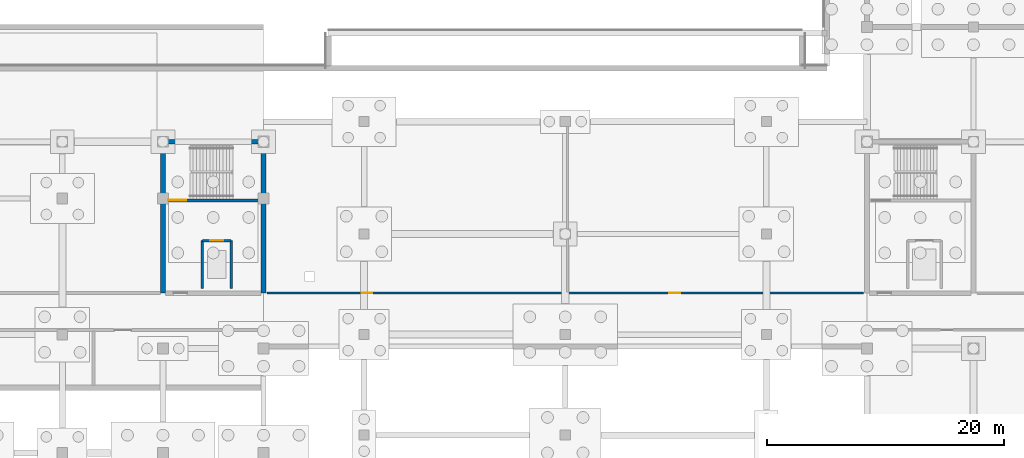
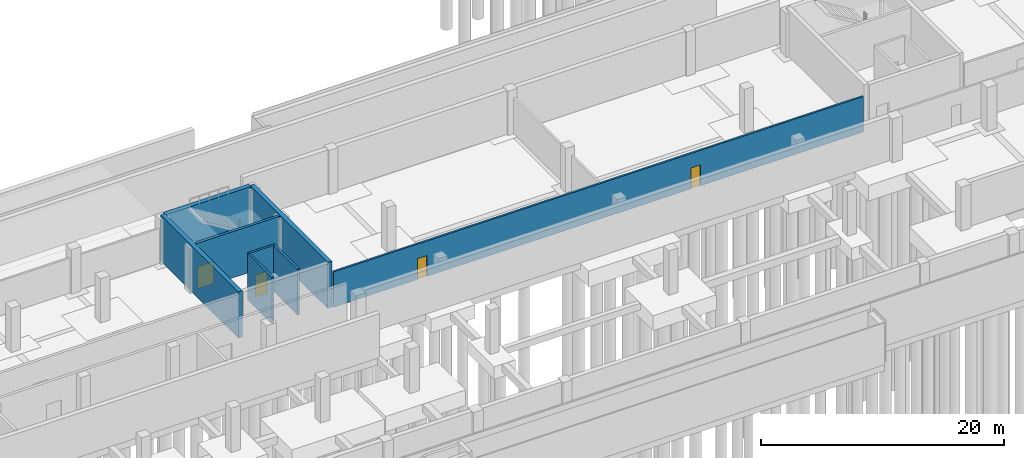
# One storey, part 13 of 25: 8 walls, 4 doors, 4 openings.
"""IFC4 building model written with IfcOpenShell, lengths in metres."""

from ifc_helpers import new_model, si_unit, direction, frame, frame_2d, origin, place, context, subcontext, project, spatial, rectangle, extrude, material, layer, layer_set, type_object, element, fill, save


model = new_model("IFC4")

# Units and contexts
model_context = context("Model", 3, precision=1e-05, world=origin(), true_north=direction((0.0, 1.0)))
body_context = subcontext(model_context, "Body", "Model", "MODEL_VIEW")
ifc_project = project(units=[si_unit("LENGTHUNIT", "METRE"), si_unit("AREAUNIT", "SQUARE_METRE"), si_unit("VOLUMEUNIT", "CUBIC_METRE"), si_unit("PLANEANGLEUNIT", "RADIAN"), si_unit("MASSUNIT", "GRAM", prefix="KILO")], contexts=[model_context])

# Site, building, storey
site_placement = place(None, origin())
site = spatial("IfcSite", under=ifc_project, at=site_placement, CompositionType="ELEMENT")
building_placement = place(site_placement, origin())
building = spatial("IfcBuilding", under=site, at=building_placement, Name="Solvikara Media Centre", CompositionType="ELEMENT")
storey_placement = place(building_placement, frame((0.0, 0.0, -4.800048828125)))
storey = spatial("IfcBuildingStorey", under=building, at=storey_placement, Name="B01", CompositionType="ELEMENT", Elevation=-4.800048828125)

# Walls
ifc_material_1 = material(Name="Concrete fc' 45 MPa (C45/55)", Category="concrete")
ifc_layer_1 = layer(ifc_material_1, 0.39990234375)
ifc_layer_set_1 = layer_set([ifc_layer_1], Name="Concrete fc' 45 MPa (C45/55)")
wall_type_1 = type_object("IfcWallType", Name="WT-02", PredefinedType="SHEAR", material=ifc_layer_set_1)
for number, where, z_axis, x_axis, name in (
    (1, (68.0, 24.0, 0.0), (0.0, 0.0, 1.0), (0.0, 1.0, 0.0), "CW-C3-B01-W"),
    (2, (76.5, 24.0, 0.0), (0.0, 0.0, 1.0), (0.0, 1.0, 0.0), "CW-C3-B01-E"),
):
    element("IfcWall", number, at=place(storey_placement, frame(where, z_axis=z_axis, x_axis=x_axis)), inside=storey, type_object=wall_type_1, Name=name, PredefinedType="SHEAR", context=body_context, shape_type="SweptSolid", body=[
        extrude(rectangle(XDim=12.800048828125, YDim=0.39990234375, at=frame_2d((6.39990234375, 0.0))), origin(), (0.0, 0.0, 1.0), 4.64013671875),
    ])
wall_1_placement = place(storey_placement, frame((68.199951171875, 36.800048828125, 0.0), z_axis=(0.0, 0.0, 1.0), x_axis=(1.0, 0.0, 0.0)))
element("IfcWall", 3, at=wall_1_placement, inside=storey, type_object=wall_type_1, Name="CW-C3-B01-N", PredefinedType="SHEAR", context=body_context, shape_type="SweptSolid", body=[
    extrude(rectangle(XDim=8.10009765625, YDim=0.39990234375, at=frame_2d((4.050048828125, 0.0))), origin(), (0.0, 0.0, 1.0), 4.64013671875),
])

# Wall, opening, door
ifc_layer_2 = layer(ifc_material_1, 0.25)
ifc_layer_set_2 = layer_set([ifc_layer_2], Name="Concrete fc' 45 MPa (C45/55)")
wall_type_2 = type_object("IfcWallType", Name="WT-07", PredefinedType="STANDARD", material=ifc_layer_set_2)
wall_2_placement = place(storey_placement, frame((68.25, 31.85009765625, 0.0), z_axis=(0.0, 0.0, 1.0), x_axis=(1.0, 0.0, 0.0)))
wall_2 = element("IfcWall", 4, at=wall_2_placement, inside=storey, type_object=wall_type_2, Name="CW-C3-B01-SD", PredefinedType="STANDARD", context=body_context, shape_type="SweptSolid", body=[
    extrude(rectangle(XDim=8.0, YDim=0.25, at=frame_2d((4.0, 0.0))), origin(), (0.0, 0.0, 1.0), 4.64013671875),
])
opening_1_placement = place(wall_2_placement, frame((0.199951171875, 0.0, 0.0)))
opening_1 = element("IfcOpeningElement", 5, at=opening_1_placement, cuts=wall_2, Name="Opening D-C3-B01-ST", PredefinedType="OPENING", context=body_context, shape_type="SweptSolid", body=[
    extrude(rectangle(XDim=1.5, YDim=2.199951171875, at=frame_2d((0.75, 1.10009765625))), frame((0.0, 0.136962890625, 0.0), z_axis=(0.0, -1.0, 0.0), x_axis=(1.0, 0.0, 0.0)), (0.0, 0.0, 1.0), 0.27392578125),
])
ifc_material_2 = material(Name="Insulated fire-rated steel door leaf", Category="steel")
door_type_1 = type_object("IfcDoorType", Name="DT-08", OperationType="DOUBLE_DOOR_SINGLE_SWING", PredefinedType="DOOR", material=ifc_material_2)
door_1_placement = place(opening_1_placement, frame((1.5, 0.0, 0.0), z_axis=(0.0, 0.0, 1.0), x_axis=(-1.0, 0.0, 0.0)))
door_1 = element("IfcDoor", 6, at=door_1_placement, inside=storey, type_object=door_type_1, Name="D-C3-B01-ST", OperationType="DOUBLE_DOOR_SINGLE_SWING", OverallHeight=2.199951171875, OverallWidth=1.5, PredefinedType="DOOR", context=body_context, shape_type="SweptSolid", body=[
    extrude(rectangle(XDim=1.5, YDim=2.199951171875, at=frame_2d((0.75, 1.10009765625))), frame((0.0, 0.02490234375, 0.0), z_axis=(0.0, -1.0, 0.0), x_axis=(1.0, 0.0, 0.0)), (0.0, 0.0, 1.0), 0.050048828125),
])
fill(opening_1, door_1)

# Walls
ifc_material_3 = material(Name="Fire-rated gypsum and mineral-wool shaft wall assembly")
ifc_layer_3 = layer(ifc_material_3, 0.2099609375)
ifc_layer_set_3 = layer_set([ifc_layer_3], Name="Fire-rated gypsum and mineral-wool shaft wall assembly")
wall_type_3 = type_object("IfcWallType", Name="WT-17", PredefinedType="PARTITIONING", material=ifc_layer_set_3)
for number, where, z_axis, x_axis, name in (
    (7, (71.330078125, 24.39990234375, 0.0), (0.0, 0.0, 1.0), (0.0, 1.0, 0.0), "LW-LF-FF2-B01-W"),
    (8, (73.77001953125, 24.39990234375, 0.0), (0.0, 0.0, 1.0), (0.0, 1.0, 0.0), "LW-LF-FF2-B01-E"),
):
    element("IfcWall", number, at=place(storey_placement, frame(where, z_axis=z_axis, x_axis=x_axis)), inside=storey, type_object=wall_type_3, Name=name, PredefinedType="PARTITIONING", context=body_context, shape_type="SweptSolid", body=[
        extrude(rectangle(XDim=4.050048828125, YDim=0.2099609375, at=frame_2d((2.02490234375, 0.0))), origin(), (0.0, 0.0, 1.0), 4.64013671875),
    ])

# Wall, opening, door
wall_3_placement = place(storey_placement, frame((71.330078125, 28.449951171875, 0.0), z_axis=(0.0, 0.0, 1.0), x_axis=(1.0, 0.0, 0.0)))
wall_3 = element("IfcWall", 9, at=wall_3_placement, inside=storey, type_object=wall_type_3, Name="LW-LF-FF2-B01-N", PredefinedType="PARTITIONING", context=body_context, shape_type="SweptSolid", body=[
    extrude(rectangle(XDim=2.43994140625, YDim=0.2099609375, at=frame_2d((1.219970703125, 0.0))), origin(), (0.0, 0.0, 1.0), 4.64013671875),
])
opening_2_placement = place(wall_3_placement, frame((0.669921875, 0.0, 0.0)))
opening_2 = element("IfcOpeningElement", 10, at=opening_2_placement, cuts=wall_3, Name="Opening LD-LF-FF2-B01", PredefinedType="OPENING", context=body_context, shape_type="SweptSolid", body=[
    extrude(rectangle(XDim=1.10009765625, YDim=2.199951171875, at=frame_2d((0.550048828125, 1.10009765625))), frame((0.0, 0.116943359375, 0.0), z_axis=(0.0, -1.0, 0.0), x_axis=(1.0, 0.0, 0.0)), (0.0, 0.0, 1.0), 0.23388671875),
])
door_type_2 = type_object("IfcDoorType", Name="LD-01", OperationType="DOUBLE_DOOR_SLIDING", PredefinedType="DOOR", material=ifc_material_2)
door_2_placement = place(opening_2_placement, origin())
door_2 = element("IfcDoor", 11, at=door_2_placement, inside=storey, type_object=door_type_2, Name="LD-LF-FF2-B01", OperationType="DOUBLE_DOOR_SLIDING", OverallHeight=2.199951171875, OverallWidth=1.10009765625, PredefinedType="DOOR", context=body_context, shape_type="SweptSolid", body=[
    extrude(rectangle(XDim=1.10009765625, YDim=2.199951171875, at=frame_2d((0.550048828125, 1.10009765625))), frame((0.0, 0.02490234375, 0.0), z_axis=(0.0, -1.0, 0.0), x_axis=(1.0, 0.0, 0.0)), (0.0, 0.0, 1.0), 0.050048828125),
])
fill(opening_2, door_2)

# Wall, openings, doors
ifc_layer_4 = layer(ifc_material_3, 0.179931640625)
ifc_layer_set_4 = layer_set([ifc_layer_4], Name="Fire-rated gypsum and mineral-wool shaft wall assembly")
wall_type_4 = type_object("IfcWallType", Name="WT-18", PredefinedType="PARTITIONING", material=ifc_layer_set_4)
wall_4_placement = place(storey_placement, frame((76.800048828125, 24.0, 0.0), z_axis=(0.0, 0.0, 1.0), x_axis=(1.0, 0.0, 0.0)))
wall_4 = element("IfcWall", 12, at=wall_4_placement, inside=storey, type_object=wall_type_4, Name="PW-B01-006", PredefinedType="PARTITIONING", context=body_context, shape_type="SweptSolid", body=[
    extrude(rectangle(XDim=50.39990234375, YDim=0.179931640625, at=frame_2d((25.199951171875, 0.0))), origin(), (0.0, 0.0, 1.0), 3.56005859375),
])
opening_3_placement = place(wall_4_placement, frame((8.0, 0.0, 0.0)))
opening_3 = element("IfcOpeningElement", 13, at=opening_3_placement, cuts=wall_4, Name="Opening D-B01-006-1", PredefinedType="OPENING", context=body_context, shape_type="SweptSolid", body=[
    extrude(rectangle(XDim=0.89990234375, YDim=2.10009765625, at=frame_2d((0.449951171875, 1.050048828125))), frame((0.0, 0.10205078125, 0.0), z_axis=(0.0, -1.0, 0.0), x_axis=(1.0, 0.0, 0.0)), (0.0, 0.0, 1.0), 0.203857421875),
])
opening_4_placement = place(wall_4_placement, frame((34.0, 0.0, 0.0)))
opening_4 = element("IfcOpeningElement", 14, at=opening_4_placement, cuts=wall_4, Name="Opening D-B01-006-2", PredefinedType="OPENING", context=body_context, shape_type="SweptSolid", body=[
    extrude(rectangle(XDim=0.89990234375, YDim=2.10009765625, at=frame_2d((0.449951171875, 1.050048828125))), frame((0.0, 0.10205078125, 0.0), z_axis=(0.0, -1.0, 0.0), x_axis=(1.0, 0.0, 0.0)), (0.0, 0.0, 1.0), 0.203857421875),
])
door_type_3 = type_object("IfcDoorType", Name="DT-11", OperationType="NOTDEFINED", PredefinedType="DOOR", material=ifc_material_2)
door_3_placement = place(opening_3_placement, frame((0.89990234375, 0.0, 0.0), z_axis=(0.0, 0.0, 1.0), x_axis=(-1.0, 0.0, 0.0)))
door_3 = element("IfcDoor", 15, at=door_3_placement, inside=storey, type_object=door_type_3, Name="D-B01-006-1", OperationType="SINGLE_SWING_LEFT", OverallHeight=2.10009765625, OverallWidth=0.89990234375, PredefinedType="DOOR", context=body_context, shape_type="SweptSolid", body=[
    extrude(rectangle(XDim=0.89990234375, YDim=2.10009765625, at=frame_2d((0.449951171875, 1.050048828125))), frame((0.0, 0.02490234375, 0.0), z_axis=(0.0, -1.0, 0.0), x_axis=(1.0, 0.0, 0.0)), (0.0, 0.0, 1.0), 0.050048828125),
])
fill(opening_3, door_3)
door_4_placement = place(opening_4_placement, frame((0.89990234375, 0.0, 0.0), z_axis=(0.0, 0.0, 1.0), x_axis=(-1.0, 0.0, 0.0)))
door_4 = element("IfcDoor", 16, at=door_4_placement, inside=storey, type_object=door_type_3, Name="D-B01-006-2", OperationType="SINGLE_SWING_RIGHT", OverallHeight=2.10009765625, OverallWidth=0.89990234375, PredefinedType="DOOR", context=body_context, shape_type="SweptSolid", body=[
    extrude(rectangle(XDim=0.89990234375, YDim=2.10009765625, at=frame_2d((0.449951171875, 1.050048828125))), frame((0.0, 0.02490234375, 0.0), z_axis=(0.0, -1.0, 0.0), x_axis=(1.0, 0.0, 0.0)), (0.0, 0.0, 1.0), 0.050048828125),
])
fill(opening_4, door_4)

save(model, "model.ifc")
